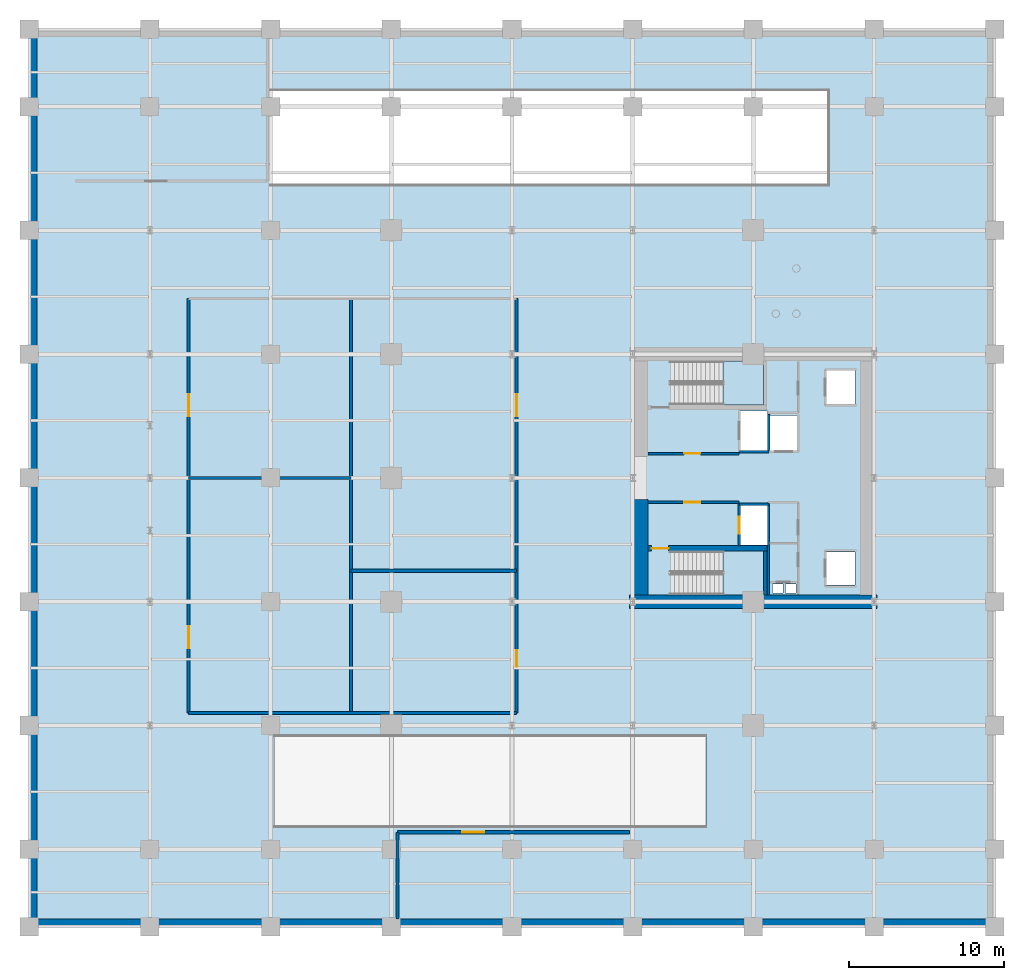
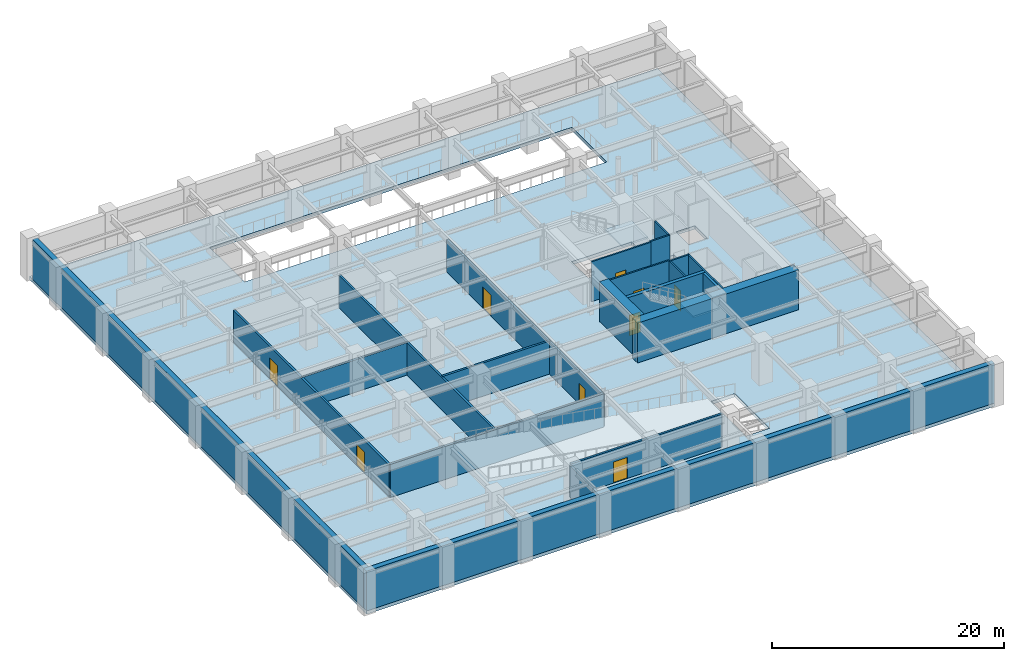
# One storey, part 5 of 10: 21 walls, 9 doors, 3 slabs, 9 openings, 2 elements without a shape of their own.
"""IFC4 building model written with IfcOpenShell, lengths in metres."""

from ifc_helpers import new_model, si_unit, direction, frame, frame_2d, origin, place, context, subcontext, project, spatial, polyline, rectangle, outline, extrude, material, layer, layer_set, type_object, element, fill, aggregate, save


model = new_model("IFC4")

# Units and contexts
model_context = context("Model", 3, precision=1e-05, world=origin(), true_north=direction((0.0, 1.0)))
body_context = subcontext(model_context, "Body", "Model", "MODEL_VIEW")
ifc_project = project(units=[si_unit("LENGTHUNIT", "METRE"), si_unit("AREAUNIT", "SQUARE_METRE"), si_unit("VOLUMEUNIT", "CUBIC_METRE"), si_unit("PLANEANGLEUNIT", "RADIAN"), si_unit("MASSUNIT", "GRAM", prefix="KILO")], contexts=[model_context])

# Site, building, storey
site_placement = place(None, origin())
site = spatial("IfcSite", under=ifc_project, at=site_placement, CompositionType="ELEMENT")
building_placement = place(site_placement, origin())
building = spatial("IfcBuilding", under=site, at=building_placement, Name="Veymaron Broadcast Tower", CompositionType="ELEMENT")
storey_placement = place(building_placement, frame((0.0, 0.0, -4.5)))
storey = spatial("IfcBuildingStorey", under=building, at=storey_placement, Name="B1", CompositionType="ELEMENT", Elevation=-4.5)

# Slab
ifc_material_1 = material(Name="Concrete C40/50", Category="concrete")
ifc_layer_1 = layer(ifc_material_1, 0.35009765625)
ifc_layer_set_1 = layer_set([ifc_layer_1], Name="Concrete C40/50")
slab_type_1 = type_object("IfcSlabType", Name="SLAB-FS1", PredefinedType="FLOOR", material=ifc_layer_set_1)
slab_1_placement = place(storey_placement, frame((0.0, 0.0, -0.35009765625)))
element("IfcSlab", 1, at=slab_1_placement, inside=storey, type_object=slab_type_1, Name="B1 structural floor slab", PredefinedType="FLOOR", context=body_context, shape_type="SweptSolid", body=[
    extrude(outline(polyline([(0.0, -5.0), (62.39990234375, -5.0), (62.39990234375, 53.0), (0.0, 53.0), (0.0, -5.0)]), holes=[polyline([(45.969970703125, 28.330078125), (47.72998046875, 28.330078125), (47.72998046875, 25.77001953125), (45.969970703125, 25.77001953125), (45.969970703125, 28.330078125)]), polyline([(45.969970703125, 22.22998046875), (47.72998046875, 22.22998046875), (47.72998046875, 19.669921875), (45.969970703125, 19.669921875), (45.969970703125, 22.22998046875)]), polyline([(47.8701171875, 28.030029296875), (49.6298828125, 28.030029296875), (49.6298828125, 25.77001953125), (47.8701171875, 25.77001953125), (47.8701171875, 28.030029296875)]), polyline([(51.52001953125, 30.929931640625), (53.3798828125, 30.929931640625), (53.3798828125, 28.77001953125), (51.52001953125, 28.77001953125), (51.52001953125, 30.929931640625)]), polyline([(51.52001953125, 19.22998046875), (53.3798828125, 19.22998046875), (53.3798828125, 17.070068359375), (51.52001953125, 17.070068359375), (51.52001953125, 19.22998046875)]), polyline([(15.60009765625, 49.0), (51.60009765625, 49.0), (51.60009765625, 43.0), (15.60009765625, 43.0), (15.60009765625, 49.0)]), polyline([(41.39990234375, 7.39990234375), (43.75, 7.39990234375), (43.75, 1.39990234375), (41.39990234375, 1.39990234375), (41.39990234375, 7.39990234375)]), polyline([(48.050048828125, 17.159912109375), (48.719970703125, 17.159912109375), (48.719970703125, 16.56005859375), (48.050048828125, 16.56005859375), (48.050048828125, 17.159912109375)]), polyline([(48.8798828125, 17.159912109375), (49.550048828125, 17.159912109375), (49.550048828125, 16.56005859375), (48.8798828125, 16.56005859375), (48.8798828125, 17.159912109375)]), polyline([(41.489990234375, 31.550048828125), (47.43994140625, 31.550048828125), (47.43994140625, 28.72998046875), (41.489990234375, 28.72998046875), (41.489990234375, 31.550048828125)]), polyline([(41.489990234375, 19.27001953125), (47.43994140625, 19.27001953125), (47.43994140625, 16.449951171875), (41.489990234375, 16.449951171875), (41.489990234375, 19.27001953125)])]), origin(), (0.0, 0.0, 1.0), 0.35009765625),
])

# Stair, slab
ifc_material_2 = material(Name="Concrete C50/60", Category="concrete")
stair_type_1 = type_object("IfcStairType", Name="STAIR-CORE-1", PredefinedType="HALF_TURN_STAIR", material=ifc_material_2)
stair_1_placement = place(storey_placement, origin())
stair_1 = element("IfcStair", 2, at=stair_1_placement, inside=storey, type_object=stair_type_1, Name="B1 North protected dog-leg exit stair ST1", PredefinedType="HALF_TURN_STAIR")
ifc_layer_2 = layer(ifc_material_2, 0.199951171875)
ifc_layer_set_2 = layer_set([ifc_layer_2], Name="Concrete C50/60")
slab_type_2 = type_object("IfcSlabType", Name="SLAB-STAIR-LDG", PredefinedType="LANDING", material=ifc_layer_set_2)
slab_2_placement = place(storey_placement, frame((0.0, 0.0, 2.050048828125)))
slab_2 = element("IfcSlab", 3, at=slab_2_placement, type_object=slab_type_2, Name="ST1 landing 1", PredefinedType="LANDING", context=body_context, shape_type="SweptSolid", body=[
    extrude(outline(polyline([(44.85009765625, 28.72998046875), (47.43994140625, 28.72998046875), (47.43994140625, 31.550048828125), (44.85009765625, 31.550048828125), (44.85009765625, 28.72998046875)])), origin(), (0.0, 0.0, 1.0), 0.199951171875),
])
aggregate(stair_1, [slab_2])

stair_type_2 = type_object("IfcStairType", Name="STAIR-CORE-2", PredefinedType="HALF_TURN_STAIR", material=ifc_material_2)
stair_2_placement = place(storey_placement, origin())
stair_2 = element("IfcStair", 4, at=stair_2_placement, inside=storey, type_object=stair_type_2, Name="B1 South protected dog-leg exit stair ST2", PredefinedType="HALF_TURN_STAIR")
slab_3_placement = place(storey_placement, frame((0.0, 0.0, 2.050048828125)))
slab_3 = element("IfcSlab", 5, at=slab_3_placement, type_object=slab_type_2, Name="ST2 landing 1", PredefinedType="LANDING", context=body_context, shape_type="SweptSolid", body=[
    extrude(outline(polyline([(44.85009765625, 16.449951171875), (47.43994140625, 16.449951171875), (47.43994140625, 19.27001953125), (44.85009765625, 19.27001953125), (44.85009765625, 16.449951171875)])), origin(), (0.0, 0.0, 1.0), 0.199951171875),
])
aggregate(stair_2, [slab_3])

# Wall, openings, doors
ifc_layer_3 = layer(ifc_material_1, 0.199951171875)
ifc_layer_set_3 = layer_set([ifc_layer_3], Name="Concrete C40/50")
wall_type_1 = type_object("IfcWallType", Name="WALL-BLK-200", PredefinedType="SOLIDWALL", material=ifc_layer_set_3)
wall_1_placement = place(storey_placement, frame((10.300048828125, 8.800048828125, 0.0), z_axis=(0.0, 0.0, 1.0), x_axis=(0.0, 1.0, 0.0)))
wall_1 = element("IfcWall", 6, at=wall_1_placement, inside=storey, type_object=wall_type_1, Name="B1 partition IW-B1-PL-W", PredefinedType="SOLIDWALL", context=body_context, shape_type="SweptSolid", body=[
    extrude(rectangle(XDim=26.800048828125, YDim=0.199951171875, at=frame_2d((13.39990234375, 0.0))), origin(), (0.0, 0.0, 1.0), 3.39794921875),
])
opening_1_placement = place(wall_1_placement, frame((4.199951171875, 0.0, 0.0)))
opening_1 = element("IfcOpeningElement", 7, at=opening_1_placement, cuts=wall_1, Name="Opening ID-PL1", PredefinedType="OPENING", context=body_context, shape_type="SweptSolid", body=[
    extrude(rectangle(XDim=1.39990234375, YDim=2.199951171875, at=frame_2d((0.699951171875, 1.10009765625))), frame((0.0, 0.10986328125, 0.0), z_axis=(0.0, -1.0, 0.0), x_axis=(1.0, 0.0, 0.0)), (0.0, 0.0, 1.0), 0.219970703125),
])
opening_2_placement = place(wall_1_placement, frame((19.199951171875, 0.0, 0.0)))
opening_2 = element("IfcOpeningElement", 8, at=opening_2_placement, cuts=wall_1, Name="Opening ID-PL1", PredefinedType="OPENING", context=body_context, shape_type="SweptSolid", body=[
    extrude(rectangle(XDim=1.39990234375, YDim=2.199951171875, at=frame_2d((0.699951171875, 1.10009765625))), frame((0.0, 0.10986328125, 0.0), z_axis=(0.0, -1.0, 0.0), x_axis=(1.0, 0.0, 0.0)), (0.0, 0.0, 1.0), 0.219970703125),
])
ifc_material_3 = material(Name="Heavy-duty acoustic galvanized steel", Category="steel")
door_type_1 = type_object("IfcDoorType", Name="DOOR-PLANT-1400", OperationType="DOUBLE_DOOR_SINGLE_SWING", PredefinedType="DOOR", material=ifc_material_3)
door_1_placement = place(opening_1_placement, origin())
door_1 = element("IfcDoor", 9, at=door_1_placement, inside=storey, type_object=door_type_1, Name="B1 door DR-B1-MEP1", OperationType="SINGLE_SWING_LEFT", OverallHeight=2.199951171875, OverallWidth=1.39990234375, PredefinedType="DOOR", context=body_context, shape_type="SweptSolid", body=[
    extrude(rectangle(XDim=1.39990234375, YDim=2.199951171875, at=frame_2d((0.699951171875, 1.10009765625))), frame((0.0, 0.02490234375, 0.0), z_axis=(0.0, -1.0, 0.0), x_axis=(1.0, 0.0, 0.0)), (0.0, 0.0, 1.0), 0.050048828125),
])
fill(opening_1, door_1)
door_2_placement = place(opening_2_placement, origin())
door_2 = element("IfcDoor", 10, at=door_2_placement, inside=storey, type_object=door_type_1, Name="B1 door DR-B1-MEP2", OperationType="SINGLE_SWING_LEFT", OverallHeight=2.199951171875, OverallWidth=1.39990234375, PredefinedType="DOOR", context=body_context, shape_type="SweptSolid", body=[
    extrude(rectangle(XDim=1.39990234375, YDim=2.199951171875, at=frame_2d((0.699951171875, 1.10009765625))), frame((0.0, 0.02490234375, 0.0), z_axis=(0.0, -1.0, 0.0), x_axis=(1.0, 0.0, 0.0)), (0.0, 0.0, 1.0), 0.050048828125),
])
fill(opening_2, door_2)

wall_2_placement = place(storey_placement, frame((31.5, 8.800048828125, 0.0), z_axis=(0.0, 0.0, 1.0), x_axis=(0.0, 1.0, 0.0)))
wall_2 = element("IfcWall", 11, at=wall_2_placement, inside=storey, type_object=wall_type_1, Name="B1 partition IW-B1-PL-E", PredefinedType="SOLIDWALL", context=body_context, shape_type="SweptSolid", body=[
    extrude(rectangle(XDim=26.800048828125, YDim=0.199951171875, at=frame_2d((13.39990234375, 0.0))), origin(), (0.0, 0.0, 1.0), 3.39794921875),
])
opening_3_placement = place(wall_2_placement, frame((3.0, 0.0, 0.0)))
opening_3 = element("IfcOpeningElement", 12, at=opening_3_placement, cuts=wall_2, Name="Opening ID-FL1", PredefinedType="OPENING", context=body_context, shape_type="SweptSolid", body=[
    extrude(rectangle(XDim=1.050048828125, YDim=2.14990234375, at=frame_2d((0.52490234375, 1.074951171875))), frame((0.0, 0.10986328125, 0.0), z_axis=(0.0, -1.0, 0.0), x_axis=(1.0, 0.0, 0.0)), (0.0, 0.0, 1.0), 0.219970703125),
])
opening_4_placement = place(wall_2_placement, frame((19.199951171875, 0.0, 0.0)))
opening_4 = element("IfcOpeningElement", 13, at=opening_4_placement, cuts=wall_2, Name="Opening ID-PL1", PredefinedType="OPENING", context=body_context, shape_type="SweptSolid", body=[
    extrude(rectangle(XDim=1.39990234375, YDim=2.199951171875, at=frame_2d((0.699951171875, 1.10009765625))), frame((0.0, 0.10986328125, 0.0), z_axis=(0.0, -1.0, 0.0), x_axis=(1.0, 0.0, 0.0)), (0.0, 0.0, 1.0), 0.219970703125),
])
ifc_material_4 = material(Name="Fire-rated painted hollow steel ASTM A653", Category="steel")
door_type_2 = type_object("IfcDoorType", Name="DOOR-FIRE-1050", OperationType="NOTDEFINED", PredefinedType="DOOR", material=ifc_material_4)
door_3_placement = place(opening_3_placement, frame((1.050048828125, 0.0, 0.0), z_axis=(0.0, 0.0, 1.0), x_axis=(-1.0, 0.0, 0.0)))
door_3 = element("IfcDoor", 14, at=door_3_placement, inside=storey, type_object=door_type_2, Name="B1 door DR-B1-BICY", OperationType="SINGLE_SWING_LEFT", OverallHeight=2.14990234375, OverallWidth=1.050048828125, PredefinedType="DOOR", context=body_context, shape_type="SweptSolid", body=[
    extrude(rectangle(XDim=1.050048828125, YDim=2.14990234375, at=frame_2d((0.52490234375, 1.074951171875))), frame((0.0, 0.02490234375, 0.0), z_axis=(0.0, -1.0, 0.0), x_axis=(1.0, 0.0, 0.0)), (0.0, 0.0, 1.0), 0.050048828125),
])
fill(opening_3, door_3)
door_4_placement = place(opening_4_placement, frame((1.39990234375, 0.0, 0.0), z_axis=(0.0, 0.0, 1.0), x_axis=(-1.0, 0.0, 0.0)))
door_4 = element("IfcDoor", 15, at=door_4_placement, inside=storey, type_object=door_type_1, Name="B1 door DR-B1-TANK", OperationType="SINGLE_SWING_LEFT", OverallHeight=2.199951171875, OverallWidth=1.39990234375, PredefinedType="DOOR", context=body_context, shape_type="SweptSolid", body=[
    extrude(rectangle(XDim=1.39990234375, YDim=2.199951171875, at=frame_2d((0.699951171875, 1.10009765625))), frame((0.0, 0.02490234375, 0.0), z_axis=(0.0, -1.0, 0.0), x_axis=(1.0, 0.0, 0.0)), (0.0, 0.0, 1.0), 0.050048828125),
])
fill(opening_4, door_4)

# Walls
wall_3_placement = place(storey_placement, frame((20.800048828125, 8.800048828125, 0.0), z_axis=(0.0, 0.0, 1.0), x_axis=(0.0, 1.0, 0.0)))
element("IfcWall", 16, at=wall_3_placement, inside=storey, type_object=wall_type_1, Name="B1 partition IW-B1-PL-M", PredefinedType="SOLIDWALL", context=body_context, shape_type="SweptSolid", body=[
    extrude(rectangle(XDim=26.800048828125, YDim=0.199951171875, at=frame_2d((13.39990234375, 0.0))), origin(), (0.0, 0.0, 1.0), 3.39794921875),
])
wall_4_placement = place(storey_placement, frame((10.300048828125, 8.800048828125, 0.0), z_axis=(0.0, 0.0, 1.0), x_axis=(1.0, 0.0, 0.0)))
element("IfcWall", 17, at=wall_4_placement, inside=storey, type_object=wall_type_1, Name="B1 partition IW-B1-PL-S", PredefinedType="SOLIDWALL", context=body_context, shape_type="SweptSolid", body=[
    extrude(rectangle(XDim=21.199951171875, YDim=0.199951171875, at=frame_2d((10.60009765625, 0.0))), origin(), (0.0, 0.0, 1.0), 3.47509765625),
])
wall_5_placement = place(storey_placement, frame((10.300048828125, 24.0, 0.0), z_axis=(0.0, 0.0, 1.0), x_axis=(1.0, 0.0, 0.0)))
element("IfcWall", 18, at=wall_5_placement, inside=storey, type_object=wall_type_1, Name="B1 partition IW-B1-PL-H1", PredefinedType="SOLIDWALL", context=body_context, shape_type="SweptSolid", body=[
    extrude(rectangle(XDim=10.5, YDim=0.199951171875, at=frame_2d((5.25, 0.0))), origin(), (0.0, 0.0, 1.0), 3.39794921875),
])
wall_6_placement = place(storey_placement, frame((20.800048828125, 18.0, 0.0), z_axis=(0.0, 0.0, 1.0), x_axis=(1.0, 0.0, 0.0)))
element("IfcWall", 19, at=wall_6_placement, inside=storey, type_object=wall_type_1, Name="B1 partition IW-B1-PL-H2", PredefinedType="SOLIDWALL", context=body_context, shape_type="SweptSolid", body=[
    extrude(rectangle(XDim=10.699951171875, YDim=0.199951171875, at=frame_2d((5.35009765625, 0.0))), origin(), (0.0, 0.0, 1.0), 3.47509765625),
])

# Wall, opening, door
wall_7_placement = place(storey_placement, frame((23.800048828125, 1.10009765625, 0.0), z_axis=(0.0, 0.0, 1.0), x_axis=(1.0, 0.0, 0.0)))
wall_7 = element("IfcWall", 20, at=wall_7_placement, inside=storey, type_object=wall_type_1, Name="B1 partition IW-B1-VS-N", PredefinedType="SOLIDWALL", context=body_context, shape_type="SweptSolid", body=[
    extrude(rectangle(XDim=15.0, YDim=0.199951171875, at=frame_2d((7.5, 0.0))), origin(), (0.0, 0.0, 1.0), 3.47509765625),
])
opening_5_placement = place(wall_7_placement, frame((4.199951171875, 0.0, 0.0)))
opening_5 = element("IfcOpeningElement", 21, at=opening_5_placement, cuts=wall_7, Name="Opening ID-PL1", PredefinedType="OPENING", context=body_context, shape_type="SweptSolid", body=[
    extrude(rectangle(XDim=1.39990234375, YDim=2.199951171875, at=frame_2d((0.699951171875, 1.10009765625))), frame((0.0, 0.10986328125, 0.0), z_axis=(0.0, -1.0, 0.0), x_axis=(1.0, 0.0, 0.0)), (0.0, 0.0, 1.0), 0.219970703125),
])
door_5_placement = place(opening_5_placement, frame((1.39990234375, 0.0, 0.0), z_axis=(0.0, 0.0, 1.0), x_axis=(-1.0, 0.0, 0.0)))
door_5 = element("IfcDoor", 22, at=door_5_placement, inside=storey, type_object=door_type_1, Name="B1 door DR-B1-VS", OperationType="SINGLE_SWING_LEFT", OverallHeight=2.199951171875, OverallWidth=1.39990234375, PredefinedType="DOOR", context=body_context, shape_type="SweptSolid", body=[
    extrude(rectangle(XDim=1.39990234375, YDim=2.199951171875, at=frame_2d((0.699951171875, 1.10009765625))), frame((0.0, 0.02490234375, 0.0), z_axis=(0.0, -1.0, 0.0), x_axis=(1.0, 0.0, 0.0)), (0.0, 0.0, 1.0), 0.050048828125),
])
fill(opening_5, door_5)

# Wall
wall_8_placement = place(storey_placement, frame((23.800048828125, -4.5, 0.0), z_axis=(0.0, 0.0, 1.0), x_axis=(0.0, 1.0, 0.0)))
element("IfcWall", 23, at=wall_8_placement, inside=storey, type_object=wall_type_1, Name="B1 partition IW-B1-VS-W", PredefinedType="SOLIDWALL", context=body_context, shape_type="SweptSolid", body=[
    extrude(rectangle(XDim=5.60009765625, YDim=0.199951171875, at=frame_2d((2.800048828125, 0.0))), origin(), (0.0, 0.0, 1.0), 3.298095703125),
])

# Wall, opening, door
ifc_material_5 = material(Name="Gypsum fireboard and steel stud framing", Category="steel")
ifc_layer_4 = layer(ifc_material_5, 0.14990234375)
ifc_layer_set_4 = layer_set([ifc_layer_4], Name="Gypsum fireboard and steel stud framing")
wall_type_2 = type_object("IfcWallType", Name="WALL-FIRE-150", PredefinedType="PARTITIONING", material=ifc_layer_set_4)
wall_9_placement = place(storey_placement, frame((39.97998046875, 25.574951171875, 0.0), z_axis=(0.0, 0.0, 1.0), x_axis=(1.0, 0.0, 0.0)))
wall_9 = element("IfcWall", 24, at=wall_9_placement, inside=storey, type_object=wall_type_2, Name="B1 partition IW-B1-FFLN-S", PredefinedType="PARTITIONING", context=body_context, shape_type="SweptSolid", body=[
    extrude(rectangle(XDim=5.89990234375, YDim=0.14990234375, at=frame_2d((2.949951171875, 0.0))), origin(), (0.0, 0.0, 1.0), 4.179931640625),
])
opening_6_placement = place(wall_9_placement, frame((2.35009765625, 0.0, 0.0)))
opening_6 = element("IfcOpeningElement", 25, at=opening_6_placement, cuts=wall_9, Name="Opening ID-FL1", PredefinedType="OPENING", context=body_context, shape_type="SweptSolid", body=[
    extrude(rectangle(XDim=1.050048828125, YDim=2.14990234375, at=frame_2d((0.52490234375, 1.074951171875))), frame((0.0, 0.0849609375, 0.0), z_axis=(0.0, -1.0, 0.0), x_axis=(1.0, 0.0, 0.0)), (0.0, 0.0, 1.0), 0.169921875),
])
door_6_placement = place(opening_6_placement, origin())
door_6 = element("IfcDoor", 26, at=door_6_placement, inside=storey, type_object=door_type_2, Name="B1 door DR-B1-FFLN", OperationType="SINGLE_SWING_LEFT", OverallHeight=2.14990234375, OverallWidth=1.050048828125, PredefinedType="DOOR", context=body_context, shape_type="SweptSolid", body=[
    extrude(rectangle(XDim=1.050048828125, YDim=2.14990234375, at=frame_2d((0.52490234375, 1.074951171875))), frame((0.0, 0.02490234375, 0.0), z_axis=(0.0, -1.0, 0.0), x_axis=(1.0, 0.0, 0.0)), (0.0, 0.0, 1.0), 0.050048828125),
])
fill(opening_6, door_6)

wall_10_placement = place(storey_placement, frame((39.97998046875, 22.425048828125, 0.0), z_axis=(0.0, 0.0, 1.0), x_axis=(1.0, 0.0, 0.0)))
wall_10 = element("IfcWall", 27, at=wall_10_placement, inside=storey, type_object=wall_type_2, Name="B1 partition IW-B1-FFLS-N", PredefinedType="PARTITIONING", context=body_context, shape_type="SweptSolid", body=[
    extrude(rectangle(XDim=5.89990234375, YDim=0.14990234375, at=frame_2d((2.949951171875, 0.0))), origin(), (0.0, 0.0, 1.0), 4.179931640625),
])
opening_7_placement = place(wall_10_placement, frame((2.35009765625, 0.0, 0.0)))
opening_7 = element("IfcOpeningElement", 28, at=opening_7_placement, cuts=wall_10, Name="Opening ID-FL1", PredefinedType="OPENING", context=body_context, shape_type="SweptSolid", body=[
    extrude(rectangle(XDim=1.050048828125, YDim=2.14990234375, at=frame_2d((0.52490234375, 1.074951171875))), frame((0.0, 0.0849609375, 0.0), z_axis=(0.0, -1.0, 0.0), x_axis=(1.0, 0.0, 0.0)), (0.0, 0.0, 1.0), 0.169921875),
])
door_7_placement = place(opening_7_placement, frame((1.050048828125, 0.0, 0.0), z_axis=(0.0, 0.0, 1.0), x_axis=(-1.0, 0.0, 0.0)))
door_7 = element("IfcDoor", 29, at=door_7_placement, inside=storey, type_object=door_type_2, Name="B1 door DR-B1-FFLS", OperationType="SINGLE_SWING_RIGHT", OverallHeight=2.14990234375, OverallWidth=1.050048828125, PredefinedType="DOOR", context=body_context, shape_type="SweptSolid", body=[
    extrude(rectangle(XDim=1.050048828125, YDim=2.14990234375, at=frame_2d((0.52490234375, 1.074951171875))), frame((0.0, 0.02490234375, 0.0), z_axis=(0.0, -1.0, 0.0), x_axis=(1.0, 0.0, 0.0)), (0.0, 0.0, 1.0), 0.050048828125),
])
fill(opening_7, door_7)

# Wall
wall_11_placement = place(storey_placement, frame((45.89501953125, 25.68994140625, 0.0), z_axis=(0.0, 0.0, 1.0), x_axis=(1.0, 0.0, 0.0)))
element("IfcWall", 30, at=wall_11_placement, inside=storey, type_object=wall_type_2, Name="B1 partition IW-B1-SHS-FFL-1", PredefinedType="PARTITIONING", context=body_context, shape_type="SweptSolid", body=[
    extrude(rectangle(XDim=1.9150390625, YDim=0.14990234375, at=frame_2d((0.95751953125, 0.0))), origin(), (0.0, 0.0, 1.0), 4.179931640625),
])

# Wall, opening, door
wall_12_placement = place(storey_placement, frame((45.89501953125, 19.590087890625, 0.0), z_axis=(0.0, 0.0, 1.0), x_axis=(0.0, 1.0, 0.0)))
wall_12 = element("IfcWall", 31, at=wall_12_placement, inside=storey, type_object=wall_type_2, Name="B1 partition IW-B1-SHW-FFL-2", PredefinedType="PARTITIONING", context=body_context, shape_type="SweptSolid", body=[
    extrude(rectangle(XDim=2.719970703125, YDim=0.14990234375, at=frame_2d((1.35986328125, 0.0))), origin(), (0.0, 0.0, 1.0), 4.179931640625),
])
opening_8_placement = place(wall_12_placement, frame((0.81005859375, 0.0, 0.0)))
opening_8 = element("IfcOpeningElement", 32, at=opening_8_placement, cuts=wall_12, Name="Opening LD", PredefinedType="OPENING", context=body_context, shape_type="SweptSolid", body=[
    extrude(rectangle(XDim=1.10009765625, YDim=2.14990234375, at=frame_2d((0.550048828125, 1.074951171875))), frame((0.0, 0.0849609375, 0.0), z_axis=(0.0, -1.0, 0.0), x_axis=(1.0, 0.0, 0.0)), (0.0, 0.0, 1.0), 0.169921875),
])
ifc_material_6 = material(Name="Brushed stainless steel AISI 304", Category="steel")
door_type_3 = type_object("IfcDoorType", Name="DOOR-LIFT-1100", OperationType="DOUBLE_DOOR_SLIDING", PredefinedType="DOOR", material=ifc_material_6)
door_8_placement = place(opening_8_placement, frame((1.10009765625, 0.0, 0.0), z_axis=(0.0, 0.0, 1.0), x_axis=(-1.0, 0.0, 0.0)))
door_8 = element("IfcDoor", 33, at=door_8_placement, inside=storey, type_object=door_type_3, Name="B1 door LD-B1-FFL-2", OperationType="DOUBLE_DOOR_SLIDING", OverallHeight=2.14990234375, OverallWidth=1.10009765625, PredefinedType="DOOR", context=body_context, shape_type="SweptSolid", body=[
    extrude(rectangle(XDim=1.10009765625, YDim=2.14990234375, at=frame_2d((0.550048828125, 1.074951171875))), frame((0.0, 0.02490234375, 0.0), z_axis=(0.0, -1.0, 0.0), x_axis=(1.0, 0.0, 0.0)), (0.0, 0.0, 1.0), 0.050048828125),
])
fill(opening_8, door_8)

# Walls
wall_13_placement = place(storey_placement, frame((45.89501953125, 22.31005859375, 0.0), z_axis=(0.0, 0.0, 1.0), x_axis=(1.0, 0.0, 0.0)))
element("IfcWall", 34, at=wall_13_placement, inside=storey, type_object=wall_type_2, Name="B1 partition IW-B1-SHN-FFL-2", PredefinedType="PARTITIONING", context=body_context, shape_type="SweptSolid", body=[
    extrude(rectangle(XDim=1.9150390625, YDim=0.14990234375, at=frame_2d((0.95751953125, 0.0))), origin(), (0.0, 0.0, 1.0), 4.179931640625),
])
wall_14_placement = place(storey_placement, frame((47.7900390625, 25.695068359375, 0.0), z_axis=(0.0, 0.0, 1.0), x_axis=(0.0, 1.0, 0.0)))
element("IfcWall", 35, at=wall_14_placement, inside=storey, type_object=wall_type_2, Name="B1 partition IW-B1-SHW-SL-1", PredefinedType="PARTITIONING", context=body_context, shape_type="SweptSolid", body=[
    extrude(rectangle(XDim=2.4150390625, YDim=0.14990234375, at=frame_2d((1.20751953125, 0.0))), origin(), (0.0, 0.0, 1.0), 4.179931640625),
])
wall_15_placement = place(storey_placement, frame((47.780029296875, 16.449951171875, 0.0), z_axis=(0.0, 0.0, 1.0), x_axis=(0.0, 1.0, 0.0)))
element("IfcWall", 36, at=wall_15_placement, inside=storey, type_object=wall_type_2, Name="B1 partition IW-B1-SM-W", PredefinedType="PARTITIONING", context=body_context, shape_type="SweptSolid", body=[
    extrude(rectangle(XDim=5.97509765625, YDim=0.14990234375, at=frame_2d((2.987548828125, 0.0))), origin(), (0.0, 0.0, 1.0), 4.179931640625),
])
ifc_layer_5 = layer(ifc_material_2, 0.5)
ifc_layer_set_5 = layer_set([ifc_layer_5], Name="Concrete C50/60")
wall_type_3 = type_object("IfcWallType", Name="WALL-RET-500", PredefinedType="USERDEFINED", material=ifc_layer_set_5)
wall_16_placement = place(storey_placement, frame((0.0, -4.75, 0.0), z_axis=(0.0, 0.0, 1.0), x_axis=(1.0, 0.0, 0.0)))
element("IfcWall", 37, at=wall_16_placement, inside=storey, type_object=wall_type_3, Name="B1 retaining wall S", ObjectType="RETAININGWALL", PredefinedType="USERDEFINED", context=body_context, shape_type="SweptSolid", body=[
    extrude(rectangle(XDim=62.39990234375, YDim=0.5, at=frame_2d((31.199951171875, 0.0))), origin(), (0.0, 0.0, 1.0), 4.179931640625),
])
wall_17_placement = place(storey_placement, frame((0.25, 52.5, 0.0), z_axis=(0.0, 0.0, 1.0), x_axis=(0.0, -1.0, 0.0)))
element("IfcWall", 38, at=wall_17_placement, inside=storey, type_object=wall_type_3, Name="B1 retaining wall W", ObjectType="RETAININGWALL", PredefinedType="USERDEFINED", context=body_context, shape_type="SweptSolid", body=[
    extrude(rectangle(XDim=57.0, YDim=0.5, at=frame_2d((28.5, 0.0))), origin(), (0.0, 0.0, 1.0), 4.179931640625),
])
ifc_layer_6 = layer(ifc_material_2, 0.25)
ifc_layer_set_6 = layer_set([ifc_layer_6], Name="Concrete C50/60")
wall_type_4 = type_object("IfcWallType", Name="WALL-SHEAR-250", PredefinedType="SHEAR", material=ifc_layer_set_6)
wall_18_placement = place(storey_placement, frame((47.56494140625, 16.449951171875, 0.0), z_axis=(0.0, 0.0, 1.0), x_axis=(0.0, 1.0, 0.0)))
element("IfcWall", 39, at=wall_18_placement, inside=storey, type_object=wall_type_4, Name="B1 Core Wall south stair east shear", PredefinedType="SHEAR", context=body_context, shape_type="SweptSolid", body=[
    extrude(rectangle(XDim=2.820068359375, YDim=0.25, at=frame_2d((1.41015625, 0.0))), origin(), (0.0, 0.0, 1.0), 4.179931640625),
])

# Wall, opening, door
ifc_layer_7 = layer(ifc_material_2, 0.35009765625)
ifc_layer_set_7 = layer_set([ifc_layer_7], Name="Concrete C50/60")
wall_type_5 = type_object("IfcWallType", Name="WALL-SHEAR-350", PredefinedType="SHEAR", material=ifc_layer_set_7)
wall_19_placement = place(storey_placement, frame((39.97998046875, 19.445068359375, 0.0), z_axis=(0.0, 0.0, 1.0), x_axis=(1.0, 0.0, 0.0)))
wall_19 = element("IfcWall", 40, at=wall_19_placement, inside=storey, type_object=wall_type_5, Name="B1 Core Wall south stair spine", PredefinedType="SHEAR", context=body_context, shape_type="SweptSolid", body=[
    extrude(rectangle(XDim=7.7099609375, YDim=0.35009765625, at=frame_2d((3.85498046875, 0.0))), origin(), (0.0, 0.0, 1.0), 4.179931640625),
])
opening_9_placement = place(wall_19_placement, frame((0.25, 0.0, 0.0)))
opening_9 = element("IfcOpeningElement", 41, at=opening_9_placement, cuts=wall_19, Name="Opening ID-ST1", PredefinedType="OPENING", context=body_context, shape_type="SweptSolid", body=[
    extrude(rectangle(XDim=1.10009765625, YDim=2.14990234375, at=frame_2d((0.550048828125, 1.074951171875))), frame((0.0, 0.18505859375, 0.0), z_axis=(0.0, -1.0, 0.0), x_axis=(1.0, 0.0, 0.0)), (0.0, 0.0, 1.0), 0.3701171875),
])
door_type_4 = type_object("IfcDoorType", Name="DOOR-STAIR-1100", OperationType="NOTDEFINED", PredefinedType="DOOR", material=ifc_material_4)
door_9_placement = place(opening_9_placement, frame((1.10009765625, 0.0, 0.0), z_axis=(0.0, 0.0, 1.0), x_axis=(-1.0, 0.0, 0.0)))
door_9 = element("IfcDoor", 42, at=door_9_placement, inside=storey, type_object=door_type_4, Name="B1 exit stair ST2 fire door", OperationType="SINGLE_SWING_LEFT", OverallHeight=2.14990234375, OverallWidth=1.10009765625, PredefinedType="DOOR", context=body_context, shape_type="SweptSolid", body=[
    extrude(rectangle(XDim=1.10009765625, YDim=2.14990234375, at=frame_2d((0.550048828125, 1.074951171875))), frame((0.0, 0.02490234375, 0.0), z_axis=(0.0, -1.0, 0.0), x_axis=(1.0, 0.0, 0.0)), (0.0, 0.0, 1.0), 0.050048828125),
])
fill(opening_9, door_9)

# Walls
ifc_material_7 = material(Name="Concrete C70/85", Category="concrete")
ifc_layer_8 = layer(ifc_material_7, 0.89990234375)
ifc_layer_set_8 = layer_set([ifc_layer_8], Name="Concrete C70/85")
wall_type_6 = type_object("IfcWallType", Name="WALL-SHEAR-900", PredefinedType="SHEAR", material=ifc_layer_set_8)
wall_20_placement = place(storey_placement, frame((38.800048828125, 16.0, 0.0), z_axis=(0.0, 0.0, 1.0), x_axis=(1.0, 0.0, 0.0)))
element("IfcWall", 43, at=wall_20_placement, inside=storey, type_object=wall_type_6, Name="B1 Core Wall south shear", PredefinedType="SHEAR", context=body_context, shape_type="SweptSolid", body=[
    extrude(rectangle(XDim=16.0, YDim=0.89990234375, at=frame_2d((8.0, 0.0))), origin(), (0.0, 0.0, 1.0), 4.179931640625),
])
wall_21_placement = place(storey_placement, frame((39.530029296875, 16.449951171875, 0.0), z_axis=(0.0, 0.0, 1.0), x_axis=(0.0, 1.0, 0.0)))
element("IfcWall", 44, at=wall_21_placement, inside=storey, type_object=wall_type_6, Name="B1 Core Wall west-south shear", PredefinedType="SHEAR", context=body_context, shape_type="SweptSolid", body=[
    extrude(rectangle(XDim=6.150146484375, YDim=0.89990234375, at=frame_2d((3.0751953125, 0.0))), origin(), (0.0, 0.0, 1.0), 4.179931640625),
])

save(model, "model.ifc")
